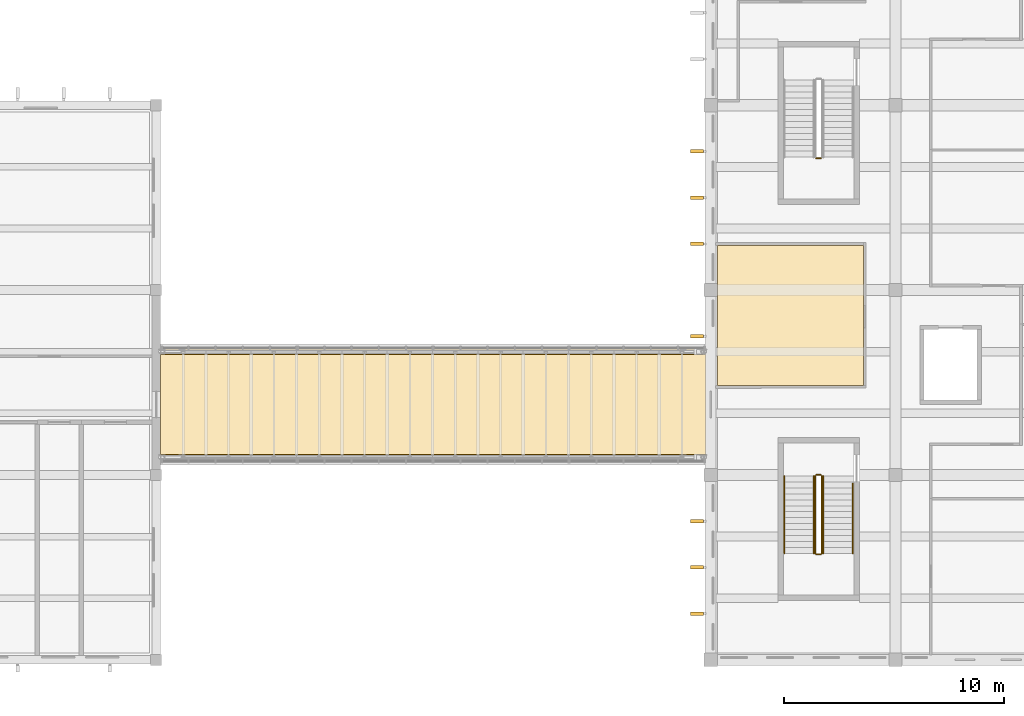
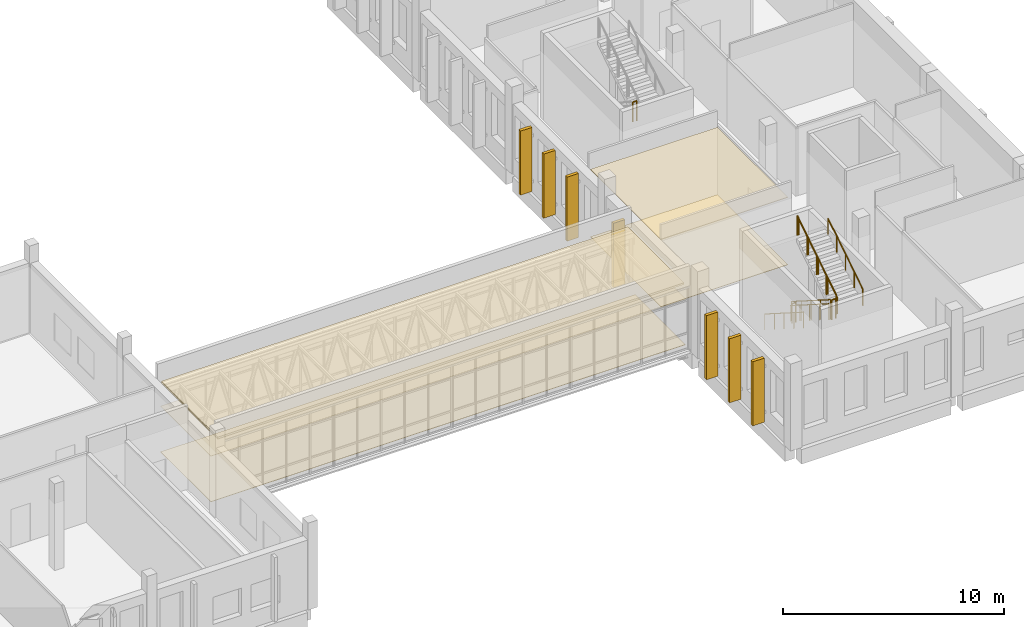
# One storey, part 94 of 119: 12 coverings, 9 railings.
"""IFC4 building model written with IfcOpenShell, lengths in metres."""

from ifc_helpers import new_model, si_unit, direction, frame, origin, origin_2d, place, context, subcontext, project, spatial, polyline, circle, outline, extrude, material, layer, layer_set, type_object, element, save


model = new_model("IFC4")

# Units and contexts
model_context = context("Model", 3, precision=1e-05, world=origin(), true_north=direction((0.0, 1.0)))
body_context = subcontext(model_context, "Body", "Model", "MODEL_VIEW")
ifc_project = project(units=[si_unit("LENGTHUNIT", "METRE"), si_unit("AREAUNIT", "SQUARE_METRE"), si_unit("VOLUMEUNIT", "CUBIC_METRE"), si_unit("PLANEANGLEUNIT", "RADIAN"), si_unit("MASSUNIT", "GRAM", prefix="KILO")], contexts=[model_context])

# Site, building, storey
site_placement = place(None, origin())
site = spatial("IfcSite", under=ifc_project, at=site_placement, CompositionType="ELEMENT")
building_placement = place(site_placement, origin())
building = spatial("IfcBuilding", under=site, at=building_placement, Name="Larchfold Concert Hall", CompositionType="ELEMENT")
storey_placement = place(building_placement, frame((0.0, 0.0, 4.800048828125)))
storey = spatial("IfcBuildingStorey", under=building, at=storey_placement, Name="L01", CompositionType="ELEMENT", Elevation=4.800048828125)

# Coverings
ifc_material_1 = material(Name="Mineral fibre ceiling tile")
ifc_layer_1 = layer(ifc_material_1, 0.02001953125)
ifc_layer_set_1 = layer_set([ifc_layer_1], Name="Mineral fibre ceiling tile")
covering_type_1 = type_object("IfcCoveringType", Name="Ceiling mineral fibre tile 20", PredefinedType="CEILING", material=ifc_layer_set_1)
covering_1_placement = place(storey_placement, frame((0.0, 0.0, 2.52001953125)))
element("IfcCovering", 1, at=covering_1_placement, inside=storey, type_object=covering_type_1, Name="Ceiling Link Bridge", PredefinedType="CEILING", context=body_context, shape_type="SweptSolid", body=[
    extrude(outline(polyline([(59.599853515625, 9.9267578125), (84.375, 9.9267578125), (84.375, 14.473388671875), (59.599853515625, 14.473388671875), (59.599853515625, 9.9267578125)])), origin(), (0.0, 0.0, 1.0), 0.02001953125),
])
ifc_material_2 = material(Name="Plasterboard ceiling lining")
ifc_layer_2 = layer(ifc_material_2, 0.030029296875)
ifc_layer_set_2 = layer_set([ifc_layer_2], Name="Plasterboard ceiling lining")
covering_type_2 = type_object("IfcCoveringType", Name="Ceiling suspended plasterboard 30", PredefinedType="CEILING", material=ifc_layer_set_2)
covering_2_placement = place(storey_placement, frame((0.0, 0.0, 3.7099609375)))
element("IfcCovering", 2, at=covering_2_placement, inside=storey, type_object=covering_type_2, Name="Ceiling Soloist Suite 03", PredefinedType="CEILING", context=body_context, shape_type="SweptSolid", body=[
    extrude(outline(polyline([(91.534423828125, 19.5), (91.534423828125, 19.4365234375), (84.900146484375, 19.4375), (84.900146484375, 13.0625), (91.60009765625, 13.071533203125), (91.53857421875, 13.071533203125), (91.534423828125, 19.5)])), origin(), (0.0, 0.0, 1.0), 0.030029296875),
])
ifc_material_3 = material(Name="Linoleum sheet")
ifc_layer_3 = layer(ifc_material_3, 0.02001953125)
ifc_layer_set_3 = layer_set([ifc_layer_3], Name="Linoleum sheet")
covering_type_3 = type_object("IfcCoveringType", Name="Floor finish vinyl 20", PredefinedType="FLOORING", material=ifc_layer_set_3)
covering_3_placement = place(storey_placement, origin())
element("IfcCovering", 3, at=covering_3_placement, inside=storey, type_object=covering_type_3, Name="Floor finish Soloist Suite 03", PredefinedType="FLOORING", context=body_context, shape_type="SweptSolid", body=[
    extrude(outline(polyline([(91.534423828125, 19.5), (91.534423828125, 19.4365234375), (84.900146484375, 19.4375), (84.900146484375, 13.0625), (91.60009765625, 13.071533203125), (91.53857421875, 13.071533203125), (91.534423828125, 19.5)])), origin(), (0.0, 0.0, 1.0), 0.02001953125),
])
covering_4_placement = place(storey_placement, origin())
element("IfcCovering", 4, at=covering_4_placement, inside=storey, type_object=covering_type_3, Name="Floor finish Link Bridge", PredefinedType="FLOORING", context=body_context, shape_type="SweptSolid", body=[
    extrude(outline(polyline([(59.599853515625, 9.9267578125), (84.375, 9.9267578125), (84.375, 14.473388671875), (59.599853515625, 14.473388671875), (59.599853515625, 9.9267578125)])), origin(), (0.0, 0.0, 1.0), 0.02001953125),
])
ifc_material_4 = material(Name="Glulam GL30c", Category="wood")
ifc_layer_4 = layer(ifc_material_4, 0.159912109375)
ifc_layer_set_4 = layer_set([ifc_layer_4], Name="Glulam GL30c")
covering_type_4 = type_object("IfcCoveringType", Name="Glulam fin 160x600", PredefinedType="CLADDING", material=ifc_layer_set_4)
covering_5_placement = place(storey_placement, frame((0.0, 0.0, 0.199951171875)))
element("IfcCovering", 5, at=covering_5_placement, inside=storey, type_object=covering_type_4, Name="Glulam fin FN-L01-063", PredefinedType="CLADDING", context=body_context, shape_type="SweptSolid", body=[
    extrude(outline(polyline([(84.275146484375, 19.419921875), (84.275146484375, 19.580078125), (83.675048828125, 19.580078125), (83.675048828125, 19.419921875), (84.275146484375, 19.419921875)])), origin(), (0.0, 0.0, 1.0), 3.5400390625),
])
covering_6_placement = place(storey_placement, frame((0.0, 0.0, 0.199951171875)))
element("IfcCovering", 6, at=covering_6_placement, inside=storey, type_object=covering_type_4, Name="Glulam fin FN-L01-064", PredefinedType="CLADDING", context=body_context, shape_type="SweptSolid", body=[
    extrude(outline(polyline([(84.275146484375, 21.52001953125), (84.275146484375, 21.679931640625), (83.675048828125, 21.679931640625), (83.675048828125, 21.52001953125), (84.275146484375, 21.52001953125)])), origin(), (0.0, 0.0, 1.0), 3.5400390625),
])
covering_7_placement = place(storey_placement, frame((0.0, 0.0, 0.199951171875)))
element("IfcCovering", 7, at=covering_7_placement, inside=storey, type_object=covering_type_4, Name="Glulam fin FN-L01-065", PredefinedType="CLADDING", context=body_context, shape_type="SweptSolid", body=[
    extrude(outline(polyline([(84.275146484375, 23.6201171875), (84.275146484375, 23.780029296875), (83.675048828125, 23.780029296875), (83.675048828125, 23.6201171875), (84.275146484375, 23.6201171875)])), origin(), (0.0, 0.0, 1.0), 3.5400390625),
])
covering_8_placement = place(storey_placement, frame((0.0, 0.0, 0.199951171875)))
element("IfcCovering", 8, at=covering_8_placement, inside=storey, type_object=covering_type_4, Name="Glulam fin FN-L01-066", PredefinedType="CLADDING", context=body_context, shape_type="SweptSolid", body=[
    extrude(outline(polyline([(84.275146484375, 15.219970703125), (84.275146484375, 15.3798828125), (83.675048828125, 15.3798828125), (83.675048828125, 15.219970703125), (84.275146484375, 15.219970703125)])), origin(), (0.0, 0.0, 1.0), 3.5400390625),
])
covering_9_placement = place(storey_placement, frame((0.0, 0.0, 0.199951171875)))
element("IfcCovering", 9, at=covering_9_placement, inside=storey, type_object=covering_type_4, Name="Glulam fin FN-L01-067", PredefinedType="CLADDING", context=body_context, shape_type="SweptSolid", body=[
    extrude(outline(polyline([(84.275146484375, 2.6201171875), (84.275146484375, 2.780029296875), (83.675048828125, 2.780029296875), (83.675048828125, 2.6201171875), (84.275146484375, 2.6201171875)])), origin(), (0.0, 0.0, 1.0), 3.5400390625),
])
covering_10_placement = place(storey_placement, frame((0.0, 0.0, 0.199951171875)))
element("IfcCovering", 10, at=covering_10_placement, inside=storey, type_object=covering_type_4, Name="Glulam fin FN-L01-068", PredefinedType="CLADDING", context=body_context, shape_type="SweptSolid", body=[
    extrude(outline(polyline([(84.275146484375, 4.719970703125), (84.275146484375, 4.8798828125), (83.675048828125, 4.8798828125), (83.675048828125, 4.719970703125), (84.275146484375, 4.719970703125)])), origin(), (0.0, 0.0, 1.0), 3.5400390625),
])
covering_11_placement = place(storey_placement, frame((0.0, 0.0, 0.199951171875)))
element("IfcCovering", 11, at=covering_11_placement, inside=storey, type_object=covering_type_4, Name="Glulam fin FN-L01-069", PredefinedType="CLADDING", context=body_context, shape_type="SweptSolid", body=[
    extrude(outline(polyline([(84.275146484375, 6.820068359375), (84.275146484375, 6.97998046875), (83.675048828125, 6.97998046875), (83.675048828125, 6.820068359375), (84.275146484375, 6.820068359375)])), origin(), (0.0, 0.0, 1.0), 3.5400390625),
])
ifc_material_5 = material(Name="Insulation and bitumen membrane")
ifc_layer_5 = layer(ifc_material_5, 0.10009765625)
ifc_layer_set_5 = layer_set([ifc_layer_5], Name="Insulation and bitumen membrane")
covering_type_5 = type_object("IfcCoveringType", Name="Roof membrane build-up 100", PredefinedType="ROOFING", material=ifc_layer_set_5)
covering_12_placement = place(storey_placement, frame((0.0, 0.0, 3.579833984375)))
element("IfcCovering", 12, at=covering_12_placement, inside=storey, type_object=covering_type_5, Name="Roof covering RC013", PredefinedType="ROOFING", context=body_context, shape_type="SweptSolid", body=[
    extrude(outline(polyline([(84.14501953125, 14.75), (59.7998046875, 14.75), (59.7998046875, 9.64990234375), (84.14501953125, 9.64990234375), (84.14501953125, 14.75)])), origin(), (0.0, 0.0, 1.0), 0.10009765625),
])

# Railings
ifc_material_6 = material(Name="Stainless steel balustrade", Category="steel")
railing_type_1 = type_object("IfcRailingType", Name="Stair guard 1100", PredefinedType="GUARDRAIL", material=ifc_material_6)
railing_1_placement = place(storey_placement, frame((89.349853515625, 8.949951171875, 0.17138671875)))
element("IfcRailing", 13, at=railing_1_placement, inside=storey, type_object=railing_type_1, Name="Guard GR0051", PredefinedType="GUARDRAIL", context=body_context, shape_type="SweptSolid", body=[
    extrude(circle(Radius=0.02392578125, at=origin_2d()), frame((0.0, 0.0, 1.076171875), z_axis=(0.0, -0.844219563411, 0.53599750816), x_axis=(1.0, 0.0, 0.0)), (0.0, 0.0, 1.0), 4.15771484375),
    extrude(circle(Radius=0.02099609375, at=origin_2d()), origin(), (0.0, 0.0, 1.0), 1.052001953125),
    extrude(circle(Radius=0.02099609375, at=origin_2d()), frame((0.0, -0.87744140625, 0.55712890625)), (0.0, 0.0, 1.0), 1.052001953125),
    extrude(circle(Radius=0.02099609375, at=origin_2d()), frame((0.0, -1.7548828125, 1.1142578125)), (0.0, 0.0, 1.0), 1.052001953125),
    extrude(circle(Radius=0.02099609375, at=origin_2d()), frame((0.0, -2.632568359375, 1.67138671875)), (0.0, 0.0, 1.0), 1.052001953125),
    extrude(circle(Radius=0.02099609375, at=origin_2d()), frame((0.0, -3.510009765625, 2.228515625)), (0.0, 0.0, 1.0), 1.052001953125),
])
railing_2_placement = place(storey_placement, frame((89.39990234375, 5.389892578125, 2.39990234375)))
element("IfcRailing", 14, at=railing_2_placement, inside=storey, type_object=railing_type_1, Name="Guard GR0052", PredefinedType="GUARDRAIL", context=body_context, shape_type="SweptSolid", body=[
    extrude(circle(Radius=0.02392578125, at=origin_2d()), frame((0.0, 0.0, 1.076171875), z_axis=(1.0, 0.0, 0.0), x_axis=(0.0, 1.0, 0.0)), (0.0, 0.0, 1.0), 0.199951171875),
    extrude(circle(Radius=0.02099609375, at=origin_2d()), origin(), (0.0, 0.0, 1.0), 1.052001953125),
    extrude(circle(Radius=0.02099609375, at=origin_2d()), frame((0.199951171875, 0.0, 0.0)), (0.0, 0.0, 1.0), 1.052001953125),
])
railing_3_placement = place(storey_placement, frame((89.64990234375, 5.43994140625, 2.5712890625)))
element("IfcRailing", 15, at=railing_3_placement, inside=storey, type_object=railing_type_1, Name="Guard GR0053", PredefinedType="GUARDRAIL", context=body_context, shape_type="SweptSolid", body=[
    extrude(circle(Radius=0.02392578125, at=origin_2d()), frame((0.0, 0.0, 1.076171875), z_axis=(0.0, 0.844192992368, 0.536039356425), x_axis=(-1.0, 0.0, 0.0)), (0.0, 0.0, 1.0), 4.15771484375),
    extrude(circle(Radius=0.02099609375, at=origin_2d()), origin(), (0.0, 0.0, 1.0), 1.052001953125),
    extrude(circle(Radius=0.02099609375, at=origin_2d()), frame((0.0, 0.87744140625, 0.55712890625)), (0.0, 0.0, 1.0), 1.052001953125),
    extrude(circle(Radius=0.02099609375, at=origin_2d()), frame((0.0, 1.7548828125, 1.1142578125)), (0.0, 0.0, 1.0), 1.052001953125),
    extrude(circle(Radius=0.02099609375, at=origin_2d()), frame((0.0, 2.632568359375, 1.671630859375)), (0.0, 0.0, 1.0), 1.052001953125),
    extrude(circle(Radius=0.02099609375, at=origin_2d()), frame((0.0, 3.510009765625, 2.228759765625)), (0.0, 0.0, 1.0), 1.052001953125),
])
for number, where, name in (
    (16, (89.39990234375, 9.0, 0.0), "Guard GR0054"),
    (17, (89.39990234375, 23.389892578125, 2.39990234375), "Guard GR0056"),
):
    element("IfcRailing", number, at=place(storey_placement, frame(where)), inside=storey, type_object=railing_type_1, Name=name, PredefinedType="GUARDRAIL", context=body_context, shape_type="SweptSolid", body=[
        extrude(circle(Radius=0.02392578125, at=origin_2d()), frame((0.0, 0.0, 1.076171875), z_axis=(1.0, 0.0, 0.0), x_axis=(0.0, 1.0, 0.0)), (0.0, 0.0, 1.0), 0.199951171875),
        extrude(circle(Radius=0.02099609375, at=origin_2d()), origin(), (0.0, 0.0, 1.0), 1.052001953125),
        extrude(circle(Radius=0.02099609375, at=origin_2d()), frame((0.199951171875, 0.0, 0.0)), (0.0, 0.0, 1.0), 1.052001953125),
    ])
ifc_material_7 = material(Name="Stainless steel handrail", Category="steel")
railing_type_2 = type_object("IfcRailingType", Name="Stair handrail 900", PredefinedType="HANDRAIL", material=ifc_material_7)
railing_4_placement = place(storey_placement, frame((87.949951171875, 8.949951171875, 0.17138671875)))
element("IfcRailing", 18, at=railing_4_placement, inside=storey, type_object=railing_type_2, Name="Handrail HR0049", PredefinedType="HANDRAIL", context=body_context, shape_type="SweptSolid", body=[
    extrude(circle(Radius=0.02392578125, at=origin_2d()), frame((0.0, 0.0, 0.8759765625), z_axis=(0.0, -0.844219563411, 0.53599750816), x_axis=(1.0, 0.0, 0.0)), (0.0, 0.0, 1.0), 4.15771484375),
    extrude(circle(Radius=0.02099609375, at=origin_2d()), origin(), (0.0, 0.0, 1.0), 0.851806640625),
    extrude(circle(Radius=0.02099609375, at=origin_2d()), frame((0.0, -0.87744140625, 0.55712890625)), (0.0, 0.0, 1.0), 0.851806640625),
    extrude(circle(Radius=0.02099609375, at=origin_2d()), frame((0.0, -1.7548828125, 1.1142578125)), (0.0, 0.0, 1.0), 0.851806640625),
    extrude(circle(Radius=0.02099609375, at=origin_2d()), frame((0.0, -2.632568359375, 1.67138671875)), (0.0, 0.0, 1.0), 0.851806640625),
    extrude(circle(Radius=0.02099609375, at=origin_2d()), frame((0.0, -3.510009765625, 2.228515625)), (0.0, 0.0, 1.0), 0.851806640625),
])
railing_5_placement = place(storey_placement, frame((91.0498046875, 5.43994140625, 2.5712890625)))
element("IfcRailing", 19, at=railing_5_placement, inside=storey, type_object=railing_type_2, Name="Handrail HR0050", PredefinedType="HANDRAIL", context=body_context, shape_type="SweptSolid", body=[
    extrude(circle(Radius=0.02392578125, at=origin_2d()), frame((0.0, 0.0, 0.8759765625), z_axis=(0.0, 0.844224994989, 0.535988953092), x_axis=(-1.0, 0.0, 0.0)), (0.0, 0.0, 1.0), 3.7431640625),
    extrude(circle(Radius=0.02099609375, at=origin_2d()), origin(), (0.0, 0.0, 1.0), 0.851806640625),
    extrude(circle(Radius=0.02099609375, at=origin_2d()), frame((0.0, 0.7900390625, 0.50146484375)), (0.0, 0.0, 1.0), 0.851806640625),
    extrude(circle(Radius=0.02099609375, at=origin_2d()), frame((0.0, 1.580078125, 1.003173828125)), (0.0, 0.0, 1.0), 0.851806640625),
    extrude(circle(Radius=0.02099609375, at=origin_2d()), frame((0.0, 2.3701171875, 1.5048828125)), (0.0, 0.0, 1.0), 0.851806640625),
    extrude(circle(Radius=0.02099609375, at=origin_2d()), frame((0.0, 3.16015625, 2.00634765625)), (0.0, 0.0, 1.0), 0.851806640625),
])
railing_6_placement = place(storey_placement, frame((89.27978515625, 8.949951171875, 0.17138671875)))
element("IfcRailing", 20, at=railing_6_placement, inside=storey, type_object=railing_type_2, Name="Handrail HR0051", PredefinedType="HANDRAIL", context=body_context, shape_type="SweptSolid", body=[
    extrude(circle(Radius=0.02392578125, at=origin_2d()), frame((0.0, 0.0, 0.8759765625), z_axis=(0.0, -0.844219563411, 0.53599750816), x_axis=(1.0, 0.0, 0.0)), (0.0, 0.0, 1.0), 4.15771484375),
    extrude(circle(Radius=0.02099609375, at=origin_2d()), origin(), (0.0, 0.0, 1.0), 0.851806640625),
    extrude(circle(Radius=0.02099609375, at=origin_2d()), frame((0.0, -0.87744140625, 0.55712890625)), (0.0, 0.0, 1.0), 0.851806640625),
    extrude(circle(Radius=0.02099609375, at=origin_2d()), frame((0.0, -1.7548828125, 1.1142578125)), (0.0, 0.0, 1.0), 0.851806640625),
    extrude(circle(Radius=0.02099609375, at=origin_2d()), frame((0.0, -2.632568359375, 1.67138671875)), (0.0, 0.0, 1.0), 0.851806640625),
    extrude(circle(Radius=0.02099609375, at=origin_2d()), frame((0.0, -3.510009765625, 2.228515625)), (0.0, 0.0, 1.0), 0.851806640625),
])
railing_7_placement = place(storey_placement, frame((89.719970703125, 5.43994140625, 2.5712890625)))
element("IfcRailing", 21, at=railing_7_placement, inside=storey, type_object=railing_type_2, Name="Handrail HR0052", PredefinedType="HANDRAIL", context=body_context, shape_type="SweptSolid", body=[
    extrude(circle(Radius=0.02392578125, at=origin_2d()), frame((0.0, 0.0, 0.8759765625), z_axis=(0.0, 0.844192992368, 0.536039356425), x_axis=(-1.0, 0.0, 0.0)), (0.0, 0.0, 1.0), 4.15771484375),
    extrude(circle(Radius=0.02099609375, at=origin_2d()), origin(), (0.0, 0.0, 1.0), 0.851806640625),
    extrude(circle(Radius=0.02099609375, at=origin_2d()), frame((0.0, 0.87744140625, 0.55712890625)), (0.0, 0.0, 1.0), 0.851806640625),
    extrude(circle(Radius=0.02099609375, at=origin_2d()), frame((0.0, 1.7548828125, 1.1142578125)), (0.0, 0.0, 1.0), 0.851806640625),
    extrude(circle(Radius=0.02099609375, at=origin_2d()), frame((0.0, 2.632568359375, 1.671630859375)), (0.0, 0.0, 1.0), 0.851806640625),
    extrude(circle(Radius=0.02099609375, at=origin_2d()), frame((0.0, 3.510009765625, 2.228759765625)), (0.0, 0.0, 1.0), 0.851806640625),
])

save(model, "model.ifc")
